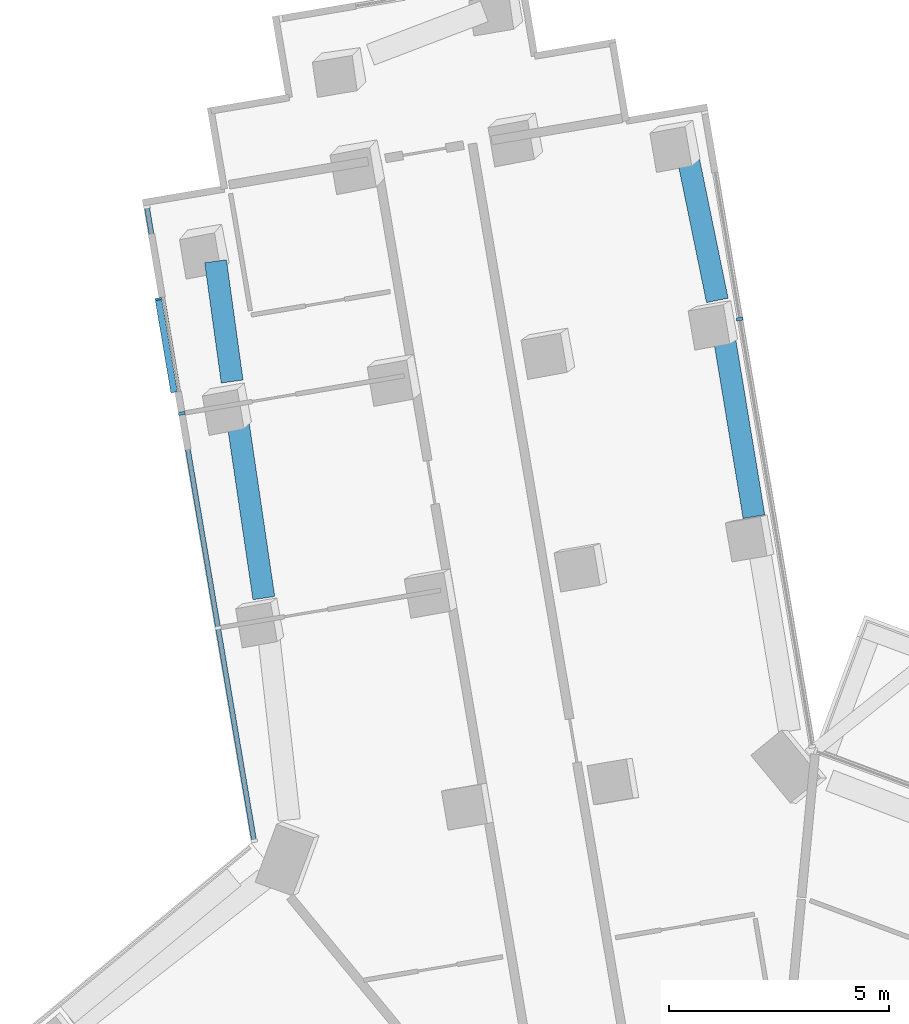
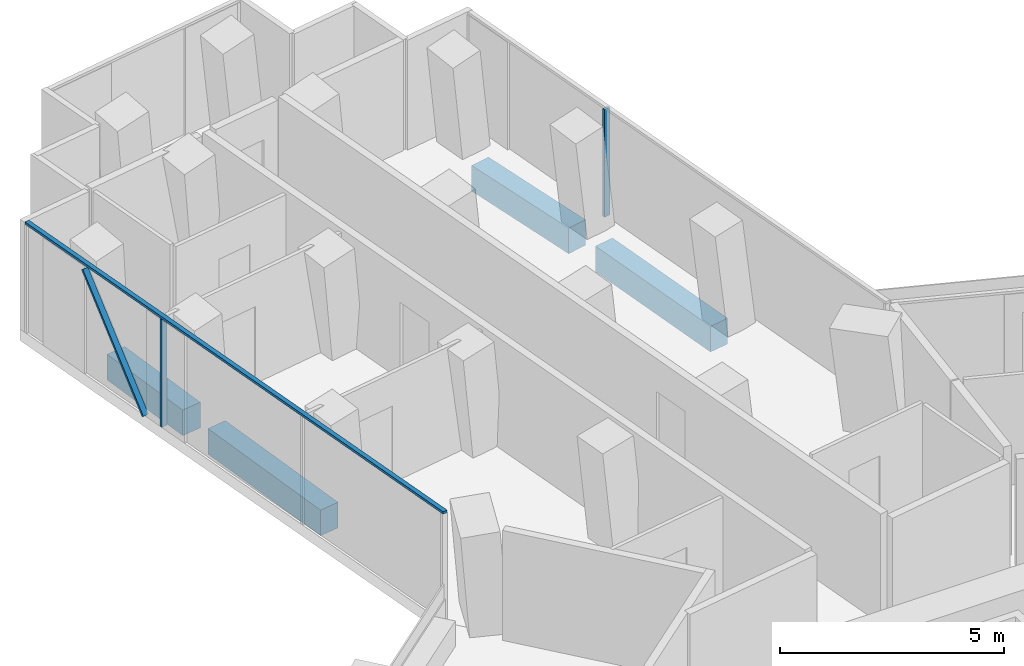
# One storey, part 8 of 27: 4 beams, 4 members, 2 elements without a shape of their own.
"""IFC4 building model written with IfcOpenShell, lengths in metres."""

import ifcopenshell
import ifcopenshell.guid

model = None  # the IFC model being written
_history = None  # IfcOwnerHistory: only IFC2X3 demands one
_inside = {}  # id of a spatial element -> (the spatial element, [elements in it])
_under = {}  # id of a project, library or spatial element -> (it, [spatial elements below it])
_declared = {}  # id of a project -> (the project, [libraries it declares])
_typed = {}  # id of a type object -> (the type object, [elements of that type])
_made_of = {}  # id of a material, layer set ... -> (it, [elements and type objects made of it])


def new_model(schema):
    """Start an empty IFC model of exactly this schema.

    Asked for "IFC4X3", IfcOpenShell would pick the latest addendum, in which some entities
    have other attributes; the version numbers below select the first issue.
    IFC2X3 requires an IfcOwnerHistory on every rooted entity: one is made here for all.
    """
    global model, _history
    if schema == "IFC4X3":
        model = ifcopenshell.file(schema_version=(4, 3, 0, 0))
    else:
        model = ifcopenshell.file(schema=schema)
    _inside.clear()
    _under.clear()
    _declared.clear()
    _typed.clear()
    _made_of.clear()
    _history = None
    if model.schema == "IFC2X3":
        org = make("IfcOrganization", Name="unknown")
        user = make(
            "IfcPersonAndOrganization",
            ThePerson=make("IfcPerson", FamilyName="unknown"),
            TheOrganization=org,
        )
        app = make(
            "IfcApplication",
            ApplicationDeveloper=org,
            Version="unknown",
            ApplicationFullName="unknown",
            ApplicationIdentifier="unknown",
        )
        _history = make(
            "IfcOwnerHistory",
            OwningUser=user,
            OwningApplication=app,
            ChangeAction="ADDED",
            CreationDate=0,
        )
    return model


def make(cls, **values):
    """One entity of the class cls with the attributes given. An attribute that is None is left unset."""
    return model.create_entity(
        cls, **{name: value for name, value in values.items() if value is not None}
    )


def rooted(cls, **values):
    """An entity with a GlobalId (a new one), such as an element, a storey or a relation."""
    return make(cls, GlobalId=ifcopenshell.guid.new(), OwnerHistory=_history, **values)


def si_unit(unit_type, name, prefix=None):
    """IfcSIUnit, for example si_unit("LENGTHUNIT", "METRE", prefix="MILLI")."""
    return make("IfcSIUnit", UnitType=unit_type, Prefix=prefix, Name=name)


def assignment(units):
    """IfcUnitAssignment: the units of a project."""
    return None if units is None else make("IfcUnitAssignment", Units=units)


def point(xyz):
    """IfcCartesianPoint."""
    return None if xyz is None else make("IfcCartesianPoint", Coordinates=xyz)


def direction(xyz):
    """IfcDirection."""
    return None if xyz is None else make("IfcDirection", DirectionRatios=xyz)


def frame(location, z_axis=None, x_axis=None):
    """IfcAxis2Placement3D, a coordinate frame: its origin and axes. An axis left out is left unset."""
    return make(
        "IfcAxis2Placement3D",
        Location=point(location),
        Axis=direction(z_axis),
        RefDirection=direction(x_axis),
    )


def frame_2d(location, x_axis=None):
    """IfcAxis2Placement2D, a coordinate frame in the plane: its origin and x axis."""
    return make(
        "IfcAxis2Placement2D", Location=point(location), RefDirection=direction(x_axis)
    )


def origin():
    """The frame at (0, 0, 0) with its axes left unset."""
    return frame((0.0, 0.0, 0.0))


def origin_2d():
    """The frame at (0, 0) in the plane with its x axis left unset."""
    return frame_2d((0.0, 0.0))


def place(relative_to, where):
    """IfcLocalPlacement: puts the frame where relative to a parent placement (None: the world)."""
    return make(
        "IfcLocalPlacement", PlacementRelTo=relative_to, RelativePlacement=where
    )


def context(
    kind, dimensions, precision=None, world=None, true_north=None, identifier=None
):
    """IfcGeometricRepresentationContext, for example the 3D "Model" context."""
    return make(
        "IfcGeometricRepresentationContext",
        ContextIdentifier=identifier,
        ContextType=kind,
        CoordinateSpaceDimension=dimensions,
        Precision=precision,
        WorldCoordinateSystem=world,
        TrueNorth=true_north,
    )


def subcontext(parent, identifier, kind, view, scale=None):
    """IfcGeometricRepresentationSubContext, for example "Body" below "Model"."""
    return make(
        "IfcGeometricRepresentationSubContext",
        ContextIdentifier=identifier,
        ContextType=kind,
        ParentContext=parent,
        TargetScale=scale,
        TargetView=view,
    )


def project(units=None, contexts=None):
    """IfcProject with its units and contexts."""
    return rooted(
        "IfcProject",
        Name="project",
        RepresentationContexts=contexts,
        UnitsInContext=assignment(units),
    )


def spatial(cls, under=None, at=None, **own):
    """A site, building, storey or space (cls), placed at a placement, below another one or the project."""
    s = rooted(cls, ObjectPlacement=at, **own)
    if under is not None:
        _under.setdefault(under.id(), (under, []))[1].append(s)
    return s


def profile(cls, at=None, kind="AREA", **sizes):
    """A parametric profile (cls). Its sizes go by their IFC names, for example OverallWidth=200.0."""
    return make(cls, ProfileType=kind, Position=at, **sizes)


def rectangle(**sizes):
    """IfcRectangleProfileDef."""
    return profile("IfcRectangleProfileDef", **sizes)


def extrude(swept, where, along, depth):
    """IfcExtrudedAreaSolid: the profile swept, set in the frame where, extruded along a direction by depth."""
    return make(
        "IfcExtrudedAreaSolid",
        SweptArea=swept,
        Position=where,
        ExtrudedDirection=direction(along),
        Depth=depth,
    )


def shape(context_of_items, identifier, shape_type, items):
    """IfcShapeRepresentation: the items that make up one representation, for example the "Body"."""
    return make(
        "IfcShapeRepresentation",
        ContextOfItems=context_of_items,
        RepresentationIdentifier=identifier,
        RepresentationType=shape_type,
        Items=items,
    )


def material(Name=None, Category=None):
    """IfcMaterial."""
    return make("IfcMaterial", Name=Name, Category=Category)


def layer(
    of_material, thickness, ventilated=None, Name=None, Category=None, Priority=None
):
    """IfcMaterialLayer: one layer of a wall or slab, of a material (None: an air gap)."""
    return make(
        "IfcMaterialLayer",
        Material=of_material,
        LayerThickness=thickness,
        IsVentilated=ventilated,
        Name=Name,
        Category=Category,
        Priority=Priority,
    )


def layer_set(layers, Name=None):
    """IfcMaterialLayerSet."""
    return make("IfcMaterialLayerSet", MaterialLayers=layers, LayerSetName=Name)


def material_profile(
    of_material, cross_section, Name=None, Category=None, Priority=None
):
    """IfcMaterialProfile: a cross section and its material."""
    return make(
        "IfcMaterialProfile",
        Name=Name,
        Material=of_material,
        Profile=cross_section,
        Priority=Priority,
        Category=Category,
    )


def profile_set(profiles, Name=None, composite=None):
    """IfcMaterialProfileSet."""
    return make(
        "IfcMaterialProfileSet",
        Name=Name,
        MaterialProfiles=profiles,
        CompositeProfile=composite,
    )


def made_of(thing, what):
    """Note that an element or type object is made of a material, layer set ...; save() writes the relation."""
    if what is not None:
        _made_of.setdefault(what.id(), (what, []))[1].append(thing)
    return thing


def type_object(cls, material=None, **own):
    """A type object (cls), such as IfcWallType, which elements share."""
    return made_of(rooted(cls, **own), material)


def element(
    cls,
    number,
    at=None,
    inside=None,
    cuts=None,
    type_object=None,
    material=None,
    context=None,
    identifier="Body",
    shape_type=None,
    held_by="IfcProductDefinitionShape",
    body=None,
    shapes=None,
    **own,
):
    """One element of the class cls, such as IfcWall. Its Tag is "e" and its number.

    at: its placement. inside: the storey or other place that contains it. cuts: it is an
    opening in that element (IfcRelVoidsElement). A single representation is given by context,
    identifier, shape_type and body (its items); several are given by shapes. held_by: the class
    of the entity that holds the representations. save() writes the other relations.
    """
    e = rooted(cls, Tag="e%d" % number, ObjectPlacement=at, **own)
    if body is not None:
        shapes = [shape(context, identifier, shape_type, body)]
    if shapes is not None:
        e.Representation = make(held_by, Representations=shapes)
    if inside is not None:
        _inside.setdefault(inside.id(), (inside, []))[1].append(e)
    if cuts is not None:
        rooted(
            "IfcRelVoidsElement", RelatingBuildingElement=cuts, RelatedOpeningElement=e
        )
    if type_object is not None:
        _typed.setdefault(type_object.id(), (type_object, []))[1].append(e)
    return made_of(e, material)


def aggregate(whole, parts):
    """IfcRelAggregates: a whole, such as a stair, and the parts it consists of."""
    return rooted("IfcRelAggregates", RelatingObject=whole, RelatedObjects=parts)


def save(model, path):
    """Write the relations noted so far, then the file.

    IfcRelAggregates (storeys below a building ...), IfcRelContainedInSpatialStructure (elements
    in a storey), IfcRelDefinesByType, IfcRelAssociatesMaterial and IfcRelDeclares: one each for
    every whole, place, type object, material and project.
    """
    for whole, parts in _under.values():
        aggregate(whole, parts)
    for where, things in _inside.values():
        rooted(
            "IfcRelContainedInSpatialStructure",
            RelatedElements=things,
            RelatingStructure=where,
        )
    for kind, things in _typed.values():
        rooted("IfcRelDefinesByType", RelatedObjects=things, RelatingType=kind)
    for what, things in _made_of.values():
        rooted("IfcRelAssociatesMaterial", RelatedObjects=things, RelatingMaterial=what)
    for by, libraries in _declared.values():
        rooted("IfcRelDeclares", RelatingContext=by, RelatedDefinitions=libraries)
    model.write(path)


model = new_model("IFC4")

# Units and contexts
model_context = context("Model", 3, precision=1e-05, world=origin(), true_north=direction((0.0, 1.0)))
body_context = subcontext(model_context, "Body", "Model", "MODEL_VIEW")
ifc_project = project(units=[si_unit("LENGTHUNIT", "METRE"), si_unit("AREAUNIT", "SQUARE_METRE"), si_unit("VOLUMEUNIT", "CUBIC_METRE"), si_unit("PLANEANGLEUNIT", "RADIAN"), si_unit("MASSUNIT", "GRAM", prefix="KILO")], contexts=[model_context])

# Site, building, storey
site_placement = place(None, origin())
site = spatial("IfcSite", under=ifc_project, at=site_placement, CompositionType="ELEMENT")
building_placement = place(site_placement, origin())
building = spatial("IfcBuilding", under=site, at=building_placement, Name="Verdalira Terraces Hotel", CompositionType="ELEMENT")
storey_placement = place(building_placement, frame((0.0, 0.0, 71.5)))
storey = spatial("IfcBuildingStorey", under=building, at=storey_placement, Name="L16", CompositionType="ELEMENT", Elevation=71.5)

# Curtain wall, member
ifc_material_1 = material(Name="Clear glass", Category="glass")
ifc_layer = layer(ifc_material_1, 0.14990234375)
ifc_layer_set = layer_set([ifc_layer], Name="CW2 curtain wall")
curtain_wall_type = type_object("IfcCurtainWallType", Name="CW2 curtain wall", PredefinedType="NOTDEFINED", material=ifc_layer_set)
curtain_wall_1_placement = place(storey_placement, origin())
curtain_wall_1 = element("IfcCurtainWall", 1, at=curtain_wall_1_placement, inside=storey, type_object=curtain_wall_type, Name="CW2 curtain wall L16 edge 0", PredefinedType="NOTDEFINED")
ifc_material_2 = material(Name="Terracotta frame", Category="masonry")
ifc_material_profile_1 = material_profile(ifc_material_2, rectangle(XDim=0.070068, YDim=0.149902, at=origin_2d()), Name="MU 70x150")
ifc_profile_set_1 = profile_set([ifc_material_profile_1], Name="Terracotta frame")
member_type_1 = type_object("IfcMemberType", Name="CW2 mullion 70x150", PredefinedType="MULLION", material=ifc_profile_set_1)
member_1_placement = place(storey_placement, frame((0.641846, 34.731689, 0.0), z_axis=(0.0, 0.0, 1.0), x_axis=(-0.166768747, 0.985996037, 0.0)))
member_1 = element("IfcMember", 2, at=member_1_placement, type_object=member_type_1, Name="CW2 mullion", PredefinedType="MULLION", context=body_context, shape_type="SweptSolid", body=[
    extrude(rectangle(XDim=0.070068, YDim=0.149902, at=origin_2d()), origin(), (0.0, 0.0, 1.0), 2.935059),
])
aggregate(curtain_wall_1, [member_1])

# Curtain wall, members
curtain_wall_2_placement = place(storey_placement, origin())
curtain_wall_2 = element("IfcCurtainWall", 3, at=curtain_wall_2_placement, inside=storey, type_object=curtain_wall_type, Name="CW2 curtain wall L16 edge 10", PredefinedType="NOTDEFINED")
member_2_placement = place(storey_placement, frame((-12.02832, 32.588623, 0.0), z_axis=(0.0, 0.0, 1.0), x_axis=(0.166768747, -0.985996037, 0.0)))
member_2 = element("IfcMember", 4, at=member_2_placement, type_object=member_type_1, Name="CW2 mullion", PredefinedType="MULLION", context=body_context, shape_type="SweptSolid", body=[
    extrude(rectangle(XDim=0.070068, YDim=0.149902, at=origin_2d()), origin(), (0.0, 0.0, 1.0), 2.935059),
])
ifc_material_3 = material(Name="Terracotta frame", Category="masonry")
ifc_material_profile_2 = material_profile(ifc_material_3, rectangle(XDim=0.11499, YDim=0.064941, at=origin_2d()), Name="TR 65x115")
ifc_profile_set_2 = profile_set([ifc_material_profile_2], Name="Terracotta frame")
member_type_2 = type_object("IfcMemberType", Name="CW2 transom 65x115", PredefinedType="USERDEFINED", material=ifc_profile_set_2)
member_3_placement = place(storey_placement, frame((-12.826904, 37.311523, 2.967529), z_axis=(0.166757246, -0.985997982, 0.0), x_axis=(0.985997982, 0.166757246, 0.0)))
member_3 = element("IfcMember", 5, at=member_3_placement, type_object=member_type_2, Name="CW2 transom", ObjectType="TRANSOM", PredefinedType="USERDEFINED", context=body_context, shape_type="SweptSolid", body=[
    extrude(rectangle(XDim=0.11499, YDim=0.064941, at=origin_2d()), origin(), (0.0, 0.0, 1.0), 14.669678),
])
ifc_material_4 = material(Name="Terracotta frame", Category="masonry")
ifc_material_profile_3 = material_profile(ifc_material_4, rectangle(XDim=0.149902, YDim=0.060059, at=origin_2d()), Name="GB 60x150")
ifc_profile_set_3 = profile_set([ifc_material_profile_3], Name="Terracotta frame")
member_type_3 = type_object("IfcMemberType", Name="Diagonal glazing bar 60x150", PredefinedType="USERDEFINED", material=ifc_profile_set_3)
member_4_placement = place(storey_placement, frame((-12.559814, 35.186279, 2.900879), z_axis=(0.099278004, -0.587115475, -0.803392368), x_axis=(0.98600298, 0.166727692, 0.0)))
member_4 = element("IfcMember", 6, at=member_4_placement, type_object=member_type_3, Name="Diagonal glazing bar", ObjectType="GLAZING BAR", PredefinedType="USERDEFINED", context=body_context, shape_type="SweptSolid", body=[
    extrude(rectangle(XDim=0.149902, YDim=0.060059, at=origin_2d()), origin(), (0.0, 0.0, 1.0), 3.568359),
])
aggregate(curtain_wall_2, [member_2, member_3, member_4])

# Beams
ifc_material_5 = material(Name="Concrete C70", Category="concrete")
ifc_material_profile_4 = material_profile(ifc_material_5, rectangle(XDim=0.5, YDim=0.699951, at=origin_2d()), Name="RC 500X700")
ifc_profile_set_4 = profile_set([ifc_material_profile_4], Name="Concrete C70")
beam_type = type_object("IfcBeamType", Name="Spandrel beam RC 500X700 C70", PredefinedType="SPANDREL", material=ifc_profile_set_4)
beam_1_placement = place(storey_placement, frame((0.963623, 30.244629, -0.659912), z_axis=(-0.163559402, 0.986533487, 0.0), x_axis=(-0.986533487, -0.163559402, 0.0)))
element("IfcBeam", 7, at=beam_1_placement, inside=storey, type_object=beam_type, Name="Spandrel beam B02", PredefinedType="SPANDREL", context=body_context, shape_type="SweptSolid", body=[
    extrude(rectangle(XDim=0.5, YDim=0.699951, at=origin_2d()), origin(), (0.0, 0.0, 1.0), 4.055664),
])
beam_2_placement = place(storey_placement, frame((0.131348, 35.155029, -0.659912), z_axis=(-0.200953331, 0.979600816, 0.0), x_axis=(-0.979600816, -0.200953331, 0.0)))
element("IfcBeam", 8, at=beam_2_placement, inside=storey, type_object=beam_type, Name="Spandrel beam B03", PredefinedType="SPANDREL", context=body_context, shape_type="SweptSolid", body=[
    extrude(rectangle(XDim=0.5, YDim=0.699951, at=origin_2d()), origin(), (0.0, 0.0, 1.0), 3.269287),
])
beam_3_placement = place(storey_placement, frame((-11.261719, 36.043701, -0.659912), z_axis=(0.136571462, -0.990630222, 0.0), x_axis=(0.990630222, 0.136571462, 0.0)))
element("IfcBeam", 9, at=beam_3_placement, inside=storey, type_object=beam_type, Name="Spandrel beam B05", PredefinedType="SPANDREL", context=body_context, shape_type="SweptSolid", body=[
    extrude(rectangle(XDim=0.5, YDim=0.699951, at=origin_2d()), origin(), (0.0, 0.0, 1.0), 2.756592),
])
beam_4_placement = place(storey_placement, frame((-10.75708, 32.414795, -0.659912), z_axis=(0.145651406, -0.989335973, 0.0), x_axis=(0.989335973, 0.145651406, 0.0)))
element("IfcBeam", 10, at=beam_4_placement, inside=storey, type_object=beam_type, Name="Spandrel beam B06", PredefinedType="SPANDREL", context=body_context, shape_type="SweptSolid", body=[
    extrude(rectangle(XDim=0.5, YDim=0.699951, at=origin_2d()), origin(), (0.0, 0.0, 1.0), 4.062988),
])

save(model, "model.ifc")
